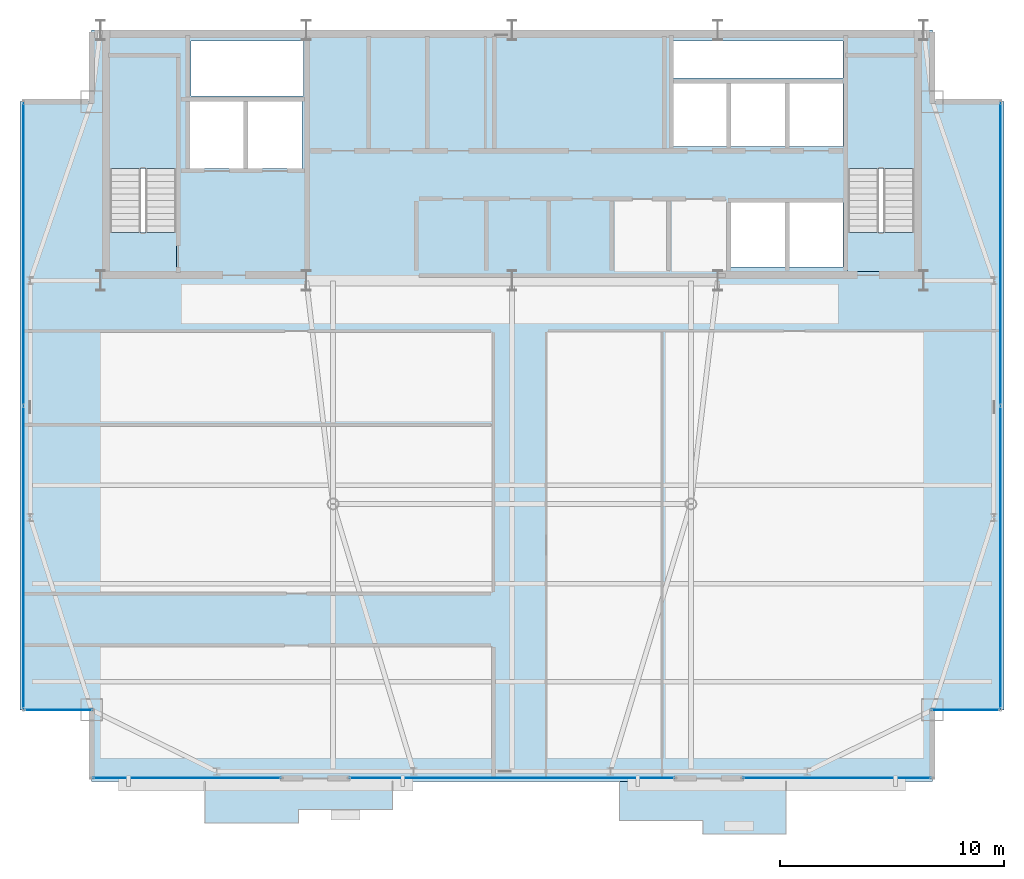
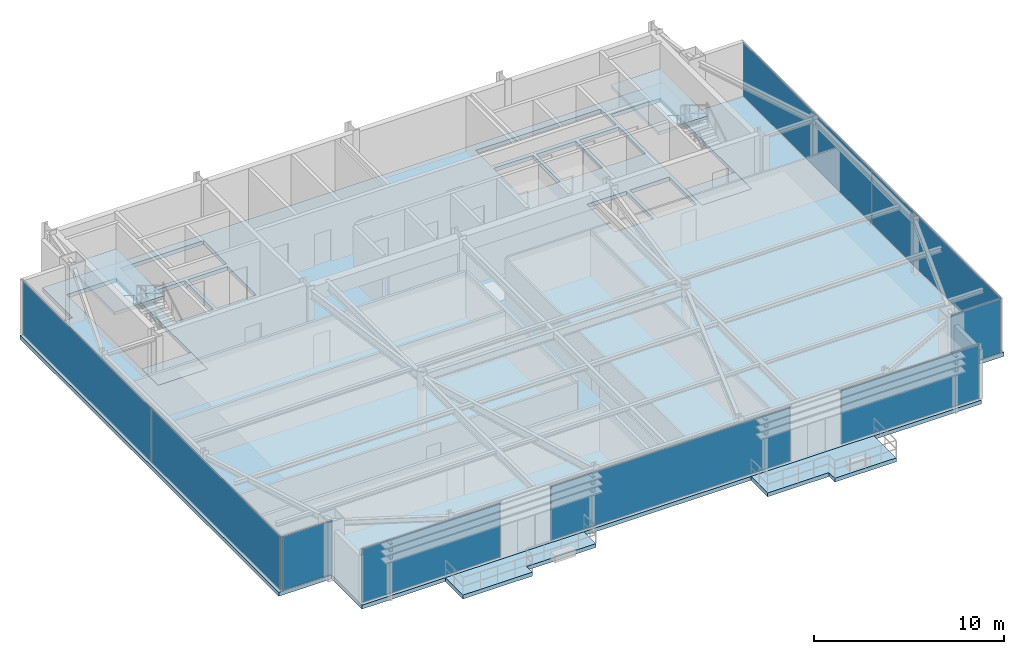
# One storey, part 17 of 23: 9 plates, 7 slabs, 9 elements without a shape of their own.
"""IFC4 building model written with IfcOpenShell, lengths in metres."""

from ifc_helpers import new_model, si_unit, direction, frame, origin, origin_2d, place, context, subcontext, project, spatial, polyline, rectangle, outline, extrude, source, transform, mapped, material, layer, layer_set, type_object, type_shapes, element, aggregate, save


model = new_model("IFC4")

# Units and contexts
model_context = context("Model", 3, precision=1e-05, world=origin(), true_north=direction((0.0, 1.0)))
body_context = subcontext(model_context, "Body", "Model", "MODEL_VIEW")
ifc_project = project(units=[si_unit("LENGTHUNIT", "METRE"), si_unit("AREAUNIT", "SQUARE_METRE"), si_unit("VOLUMEUNIT", "CUBIC_METRE"), si_unit("PLANEANGLEUNIT", "RADIAN"), si_unit("MASSUNIT", "GRAM", prefix="KILO")], contexts=[model_context])

# Site, building, storey
site_placement = place(None, origin())
site = spatial("IfcSite", under=ifc_project, at=site_placement, CompositionType="ELEMENT")
building_placement = place(site_placement, origin())
building = spatial("IfcBuilding", under=site, at=building_placement, Name="Varnel Quay Broadcast Tower", CompositionType="ELEMENT")
storey_placement = place(building_placement, frame((0.0, 0.0, 266.0)))
storey = spatial("IfcBuildingStorey", under=building, at=storey_placement, Name="L66", CompositionType="ELEMENT", Elevation=266.0)

# Slabs
ifc_material_1 = material(Name="Concrete CSA A23.3 C40/50", Category="concrete")
ifc_layer_1 = layer(ifc_material_1, 0.25, Name="Concrete CSA A23.3 C40/50")
ifc_layer_set_1 = layer_set([ifc_layer_1], Name="Concrete CSA A23.3 C40/50")
slab_type_1 = type_object("IfcSlabType", Name="Slab_ExtTerrace250", PredefinedType="FLOOR", material=ifc_layer_set_1)
slab_1_placement = place(storey_placement, frame((0.0, 0.0, -0.25)))
element("IfcSlab", 1, at=slab_1_placement, inside=storey, type_object=slab_type_1, Name="L66 Planted Lobe Terrace Slab 1", PredefinedType="FLOOR", context=body_context, shape_type="SweptSolid", body=[
    extrude(outline(polyline([(20.260009765625, 11.347900390625), (24.4599609375, 11.347900390625), (24.4599609375, 11.947998046875), (28.659912109375, 11.947998046875), (28.659912109375, 13.199951171875), (20.260009765625, 13.199951171875), (20.260009765625, 11.347900390625)])), origin(), (0.0, 0.0, 1.0), 0.25),
])
slab_2_placement = place(storey_placement, frame((0.0, 0.0, -0.25)))
element("IfcSlab", 2, at=slab_2_placement, inside=storey, type_object=slab_type_1, Name="L66 Planted Lobe Terrace Slab 2", PredefinedType="FLOOR", context=body_context, shape_type="SweptSolid", body=[
    extrude(outline(polyline([(38.800048828125, 11.451904296875), (42.530029296875, 11.451904296875), (42.530029296875, 10.85205078125), (46.260009765625, 10.85205078125), (46.260009765625, 13.199951171875), (38.800048828125, 13.199951171875), (38.800048828125, 11.451904296875)])), origin(), (0.0, 0.0, 1.0), 0.25),
])
ifc_material_2 = material(Name="Concrete CSA A23.3 C50/60", Category="concrete")
ifc_layer_2 = layer(ifc_material_2, 0.25, Name="Concrete CSA A23.3 C50/60")
ifc_layer_set_2 = layer_set([ifc_layer_2], Name="Concrete CSA A23.3 C50/60")
slab_type_2 = type_object("IfcSlabType", Name="Slab_Floor250", PredefinedType="FLOOR", material=ifc_layer_set_2)
slab_3_placement = place(storey_placement, frame((0.0, 0.0, -0.25)))
element("IfcSlab", 3, at=slab_3_placement, inside=storey, type_object=slab_type_2, Name="L66 Structural Slab", PredefinedType="FLOOR", context=body_context, shape_type="SweptSolid", body=[
    extrude(outline(polyline([(15.199951171875, 13.199951171875), (52.800048828125, 13.199951171875), (52.800048828125, 16.39990234375), (56.0, 16.39990234375), (56.0, 43.60009765625), (52.800048828125, 43.60009765625), (52.800048828125, 46.800048828125), (15.199951171875, 46.800048828125), (15.199951171875, 43.60009765625), (12.0, 43.60009765625), (12.0, 16.39990234375), (15.199951171875, 16.39990234375), (15.199951171875, 13.199951171875)]), holes=[polyline([(19.0, 36.0), (16.0, 36.0), (16.0, 45.60009765625), (19.0, 45.60009765625), (19.0, 36.0)]), polyline([(19.60009765625, 40.60009765625), (19.60009765625, 43.60009765625), (22.0, 43.60009765625), (22.0, 40.60009765625), (19.60009765625, 40.60009765625)]), polyline([(22.199951171875, 40.60009765625), (22.199951171875, 43.60009765625), (24.60009765625, 43.60009765625), (24.60009765625, 40.60009765625), (22.199951171875, 40.60009765625)]), polyline([(41.199951171875, 44.39990234375), (43.60009765625, 44.39990234375), (43.60009765625, 41.60009765625), (41.199951171875, 41.60009765625), (41.199951171875, 44.39990234375)]), polyline([(43.800048828125, 44.39990234375), (46.199951171875, 44.39990234375), (46.199951171875, 41.60009765625), (43.800048828125, 41.60009765625), (43.800048828125, 44.39990234375)]), polyline([(19.64990234375, 43.85009765625), (19.64990234375, 46.300048828125), (24.679931640625, 46.300048828125), (24.679931640625, 43.85009765625), (19.64990234375, 43.85009765625)]), polyline([(43.800048828125, 39.10009765625), (46.199951171875, 39.10009765625), (46.199951171875, 36.199951171875), (43.800048828125, 36.199951171875), (43.800048828125, 39.10009765625)]), polyline([(46.39990234375, 39.10009765625), (48.800048828125, 39.10009765625), (48.800048828125, 36.199951171875), (46.39990234375, 36.199951171875), (46.39990234375, 39.10009765625)]), polyline([(52.0, 36.0), (49.0, 36.0), (49.0, 45.60009765625), (52.0, 45.60009765625), (52.0, 36.0)]), polyline([(46.39990234375, 44.39990234375), (48.800048828125, 44.39990234375), (48.800048828125, 41.60009765625), (46.39990234375, 41.60009765625), (46.39990234375, 44.39990234375)]), polyline([(41.199951171875, 46.300048828125), (48.800048828125, 46.300048828125), (48.800048828125, 44.64990234375), (41.199951171875, 44.64990234375), (41.199951171875, 46.300048828125)])]), origin(), (0.0, 0.0, 1.0), 0.25),
])
ifc_layer_3 = layer(ifc_material_2, 0.25, Name="Concrete CSA A23.3 C50/60")
ifc_layer_set_3 = layer_set([ifc_layer_3], Name="Concrete CSA A23.3 C50/60")
slab_type_3 = type_object("IfcSlabType", Name="Slab_StairFloorLanding250", PredefinedType="FLOOR", material=ifc_layer_set_3)
slab_4_placement = place(storey_placement, frame((0.0, 0.0, -0.25)))
element("IfcSlab", 4, at=slab_4_placement, inside=storey, type_object=slab_type_3, Name="L66 ST-01 Structural Floor Landing Slab", PredefinedType="FLOOR", context=body_context, shape_type="SweptSolid", body=[
    extrude(outline(polyline([(19.0, 36.0), (19.0, 37.75), (16.0, 37.75), (16.0, 36.0), (19.0, 36.0)])), origin(), (0.0, 0.0, 1.0), 0.25),
])
slab_5_placement = place(storey_placement, frame((0.0, 0.0, -0.25)))
element("IfcSlab", 5, at=slab_5_placement, inside=storey, type_object=slab_type_3, Name="L66 ST-02 Structural Floor Landing Slab", PredefinedType="FLOOR", context=body_context, shape_type="SweptSolid", body=[
    extrude(outline(polyline([(52.0, 36.0), (52.0, 37.75), (49.0, 37.75), (49.0, 36.0), (52.0, 36.0)])), origin(), (0.0, 0.0, 1.0), 0.25),
])

# Stair, slab
ifc_material_3 = material(Name="Precast Structural Concrete C40/50", Category="concrete")
stair_type_1 = type_object("IfcStairType", Name="Stair_ST-01", PredefinedType="HALF_TURN_STAIR", material=ifc_material_3)
stair_1_placement = place(storey_placement, origin())
stair_1 = element("IfcStair", 6, at=stair_1_placement, inside=storey, type_object=stair_type_1, Name="L66 West Core Exit Stair 1", PredefinedType="HALF_TURN_STAIR")
ifc_layer_4 = layer(ifc_material_3, 0.199951171875, Name="Precast Structural Concrete C40/50")
ifc_layer_set_4 = layer_set([ifc_layer_4], Name="Precast Structural Concrete C40/50")
slab_type_4 = type_object("IfcSlabType", Name="Slab_StairLanding200", PredefinedType="LANDING", material=ifc_layer_set_4)
slab_6_placement = place(storey_placement, frame((0.0, 0.0, 1.699951171875)))
slab_6 = element("IfcSlab", 7, at=slab_6_placement, type_object=slab_type_4, Name="ST-01 landing 1", PredefinedType="LANDING", context=body_context, shape_type="SweptSolid", body=[
    extrude(outline(polyline([(19.0, 40.60009765625), (19.0, 45.60009765625), (16.0, 45.60009765625), (16.0, 40.60009765625), (19.0, 40.60009765625)])), origin(), (0.0, 0.0, 1.0), 0.199951171875),
])
aggregate(stair_1, [slab_6])

stair_type_2 = type_object("IfcStairType", Name="Stair_ST-02", PredefinedType="HALF_TURN_STAIR", material=ifc_material_3)
stair_2_placement = place(storey_placement, origin())
stair_2 = element("IfcStair", 8, at=stair_2_placement, inside=storey, type_object=stair_type_2, Name="L66 East Core Exit Stair 2", PredefinedType="HALF_TURN_STAIR")
slab_7_placement = place(storey_placement, frame((0.0, 0.0, 1.699951171875)))
slab_7 = element("IfcSlab", 9, at=slab_7_placement, type_object=slab_type_4, Name="ST-02 landing 1", PredefinedType="LANDING", context=body_context, shape_type="SweptSolid", body=[
    extrude(outline(polyline([(52.0, 40.60009765625), (52.0, 45.60009765625), (49.0, 45.60009765625), (49.0, 40.60009765625), (52.0, 40.60009765625)])), origin(), (0.0, 0.0, 1.0), 0.199951171875),
])
aggregate(stair_2, [slab_7])

# Curtain wall, plate
ifc_material_4 = material(Name="Anodised Bronze Aluminium 6063-T6", Category="aluminium")
ifc_layer_5 = layer(ifc_material_4, 0.18994140625, Name="Anodised Bronze Aluminium 6063-T6")
ifc_layer_set_5 = layer_set([ifc_layer_5], Name="Anodised Bronze Aluminium 6063-T6")
curtain_wall_type_1 = type_object("IfcCurtainWallType", Name="CW_UpperTower", PredefinedType="NOTDEFINED", material=ifc_layer_set_5)
curtain_wall_1_placement = place(storey_placement, origin())
curtain_wall_1 = element("IfcCurtainWall", 10, at=curtain_wall_1_placement, inside=storey, type_object=curtain_wall_type_1, Name="L66 South Unitised Curtain Wall 1", PredefinedType="NOTDEFINED")
ifc_material_5 = material(Name="Triple-Glazed Bronze Low-E Architectural Glass", Category="glass")
ifc_layer_6 = layer(ifc_material_5, 0.030029296875, Name="Triple-Glazed Bronze Low-E Architectural Glass")
ifc_layer_set_6 = layer_set([ifc_layer_6], Name="Triple-Glazed Bronze Low-E Architectural Glass")
plate_type_1 = type_object("IfcPlateType", Name="Panel_CWS-03", PredefinedType="CURTAIN_PANEL", material=ifc_layer_set_6)
shared_shape_1 = source(origin(), body_context, "Body", "SweptSolid", [
    extrude(rectangle(XDim=8.389892578125, YDim=0.030029296875, at=origin_2d()), origin(), (0.0, 0.0, 1.0), 3.429931640625),
])
type_shapes(plate_type_1, [shared_shape_1])
plate_1_placement = place(storey_placement, frame((19.4599609375, 13.35009765625, 0.06005859375), z_axis=(0.0, 0.0, 1.0), x_axis=(1.0, 0.0, 0.0)))
plate_1 = element("IfcPlate", 11, at=plate_1_placement, type_object=plate_type_1, Name="CWS-03 panel 1.1", PredefinedType="CURTAIN_PANEL", context=body_context, shape_type="MappedRepresentation", body=[
    mapped(shared_shape_1, transform((0.0, 0.0, 0.0), x_axis=(1.0, 0.0, 0.0), y_axis=(0.0, 1.0, 0.0), z_axis=(0.0, 0.0, 1.0), scale=1.0)),
])
aggregate(curtain_wall_1, [plate_1])

curtain_wall_2_placement = place(storey_placement, origin())
curtain_wall_2 = element("IfcCurtainWall", 12, at=curtain_wall_2_placement, inside=storey, type_object=curtain_wall_type_1, Name="L66 South Unitised Curtain Wall 3", PredefinedType="NOTDEFINED")
plate_2_placement = place(storey_placement, frame((48.5400390625, 13.35009765625, 0.06005859375), z_axis=(0.0, 0.0, 1.0), x_axis=(1.0, 0.0, 0.0)))
plate_2 = element("IfcPlate", 13, at=plate_2_placement, type_object=plate_type_1, Name="CWS-03 panel 1.1", PredefinedType="CURTAIN_PANEL", context=body_context, shape_type="MappedRepresentation", body=[
    mapped(shared_shape_1, transform((0.0, 0.0, 0.0), x_axis=(1.0, 0.0, 0.0), y_axis=(0.0, 1.0, 0.0), z_axis=(0.0, 0.0, 1.0), scale=1.0)),
])
aggregate(curtain_wall_2, [plate_2])

# Curtain wall, plates
curtain_wall_3_placement = place(storey_placement, origin())
curtain_wall_3 = element("IfcCurtainWall", 14, at=curtain_wall_3_placement, inside=storey, type_object=curtain_wall_type_1, Name="L66 West Unitised Curtain Wall", PredefinedType="NOTDEFINED")
ifc_material_6 = material(Name="Insulated Bronze Spandrel Glass", Category="glass")
ifc_layer_7 = layer(ifc_material_6, 0.030029296875, Name="Insulated Bronze Spandrel Glass")
ifc_layer_set_7 = layer_set([ifc_layer_7], Name="Insulated Bronze Spandrel Glass")
plate_type_2 = type_object("IfcPlateType", Name="PanelSp_CWS-03", PredefinedType="CURTAIN_PANEL", material=ifc_layer_set_7)
shared_shape_2 = source(origin(), body_context, "Body", "SweptSolid", [
    extrude(rectangle(XDim=13.50244140625, YDim=0.030029296875, at=origin_2d()), origin(), (0.0, 0.0, 1.0), 3.429931640625),
])
plate_3_placement = place(storey_placement, frame((12.14990234375, 23.21630859375, 0.06005859375), z_axis=(0.0, 0.0, 1.0), x_axis=(0.0, 1.0, 0.0)))
plate_3 = element("IfcPlate", 15, at=plate_3_placement, type_object=plate_type_2, Name="CWS-03 panel 1.1", PredefinedType="CURTAIN_PANEL", context=body_context, shape_type="MappedRepresentation", body=[
    mapped(shared_shape_2, transform((0.0, 0.0, 0.0), x_axis=(1.0, 0.0, 0.0), y_axis=(0.0, 1.0, 0.0), z_axis=(0.0, 0.0, 1.0), scale=1.0)),
])
plate_4_placement = place(storey_placement, frame((12.14990234375, 36.78369140625, 0.06005859375), z_axis=(0.0, 0.0, 1.0), x_axis=(0.0, 1.0, 0.0)))
plate_4 = element("IfcPlate", 16, at=plate_4_placement, type_object=plate_type_2, Name="CWS-03 panel 2.1", PredefinedType="CURTAIN_PANEL", context=body_context, shape_type="MappedRepresentation", body=[
    mapped(shared_shape_2, transform((0.0, 0.0, 0.0), x_axis=(1.0, 0.0, 0.0), y_axis=(0.0, 1.0, 0.0), z_axis=(0.0, 0.0, 1.0), scale=1.0)),
])
aggregate(curtain_wall_3, [plate_3, plate_4])

curtain_wall_4_placement = place(storey_placement, origin())
curtain_wall_4 = element("IfcCurtainWall", 17, at=curtain_wall_4_placement, inside=storey, type_object=curtain_wall_type_1, Name="L66 East Unitised Curtain Wall", PredefinedType="NOTDEFINED")
plate_5_placement = place(storey_placement, frame((55.85009765625, 23.21630859375, 0.06005859375), z_axis=(0.0, 0.0, 1.0), x_axis=(0.0, 1.0, 0.0)))
plate_5 = element("IfcPlate", 18, at=plate_5_placement, type_object=plate_type_2, Name="CWS-03 panel 1.1", PredefinedType="CURTAIN_PANEL", context=body_context, shape_type="MappedRepresentation", body=[
    mapped(shared_shape_2, transform((0.0, 0.0, 0.0), x_axis=(1.0, 0.0, 0.0), y_axis=(0.0, 1.0, 0.0), z_axis=(0.0, 0.0, 1.0), scale=1.0)),
])
plate_6_placement = place(storey_placement, frame((55.85009765625, 36.78369140625, 0.06005859375), z_axis=(0.0, 0.0, 1.0), x_axis=(0.0, 1.0, 0.0)))
plate_6 = element("IfcPlate", 19, at=plate_6_placement, type_object=plate_type_2, Name="CWS-03 panel 2.1", PredefinedType="CURTAIN_PANEL", context=body_context, shape_type="MappedRepresentation", body=[
    mapped(shared_shape_2, transform((0.0, 0.0, 0.0), x_axis=(1.0, 0.0, 0.0), y_axis=(0.0, 1.0, 0.0), z_axis=(0.0, 0.0, 1.0), scale=1.0)),
])
aggregate(curtain_wall_4, [plate_5, plate_6])

# Curtain wall, plate
ifc_layer_8 = layer(ifc_material_4, 0.18994140625, Name="Anodised Bronze Aluminium 6063-T6")
ifc_layer_set_8 = layer_set([ifc_layer_8], Name="Anodised Bronze Aluminium 6063-T6")
curtain_wall_type_2 = type_object("IfcCurtainWallType", Name="CW_NotchCorner", PredefinedType="NOTDEFINED", material=ifc_layer_set_8)
curtain_wall_5_placement = place(storey_placement, origin())
curtain_wall_5 = element("IfcCurtainWall", 20, at=curtain_wall_5_placement, inside=storey, type_object=curtain_wall_type_2, Name="L66 SW Notch Curtain Wall", PredefinedType="NOTDEFINED")
ifc_layer_9 = layer(ifc_material_5, 0.028076171875, Name="Triple-Glazed Bronze Low-E Architectural Glass")
ifc_layer_set_9 = layer_set([ifc_layer_9], Name="Triple-Glazed Bronze Low-E Architectural Glass")
plate_type_3 = type_object("IfcPlateType", Name="Panel_CWS-04", PredefinedType="CURTAIN_PANEL", material=ifc_layer_set_9)
shared_shape_3 = source(origin(), body_context, "Body", "SweptSolid", [
    extrude(rectangle(XDim=3.010009765625, YDim=0.028076171875, at=origin_2d()), origin(), (0.0, 0.0, 1.0), 3.43994140625),
])
type_shapes(plate_type_3, [shared_shape_3])
plate_7_placement = place(storey_placement, frame((13.715087890625, 16.39990234375, 0.054931640625), z_axis=(0.0, 0.0, 1.0), x_axis=(1.0, 0.0, 0.0)))
plate_7 = element("IfcPlate", 21, at=plate_7_placement, type_object=plate_type_3, Name="CWS-04 panel 1.1", PredefinedType="CURTAIN_PANEL", context=body_context, shape_type="MappedRepresentation", body=[
    mapped(shared_shape_3, transform((0.0, 0.0, 0.0), x_axis=(1.0, 0.0, 0.0), y_axis=(0.0, 1.0, 0.0), z_axis=(0.0, 0.0, 1.0), scale=1.0)),
])
aggregate(curtain_wall_5, [plate_7])

curtain_wall_6_placement = place(storey_placement, origin())
curtain_wall_6 = element("IfcCurtainWall", 22, at=curtain_wall_6_placement, inside=storey, type_object=curtain_wall_type_2, Name="L66 SE Notch Curtain Wall", PredefinedType="NOTDEFINED")
plate_8_placement = place(storey_placement, frame((54.284912109375, 16.39990234375, 0.054931640625), z_axis=(0.0, 0.0, 1.0), x_axis=(1.0, 0.0, 0.0)))
plate_8 = element("IfcPlate", 23, at=plate_8_placement, type_object=plate_type_3, Name="CWS-04 panel 1.1", PredefinedType="CURTAIN_PANEL", context=body_context, shape_type="MappedRepresentation", body=[
    mapped(shared_shape_3, transform((0.0, 0.0, 0.0), x_axis=(1.0, 0.0, 0.0), y_axis=(0.0, 1.0, 0.0), z_axis=(0.0, 0.0, 1.0), scale=1.0)),
])
aggregate(curtain_wall_6, [plate_8])

curtain_wall_7_placement = place(storey_placement, origin())
curtain_wall_7 = element("IfcCurtainWall", 24, at=curtain_wall_7_placement, inside=storey, type_object=curtain_wall_type_1, Name="L66 South Unitised Curtain Wall 2", PredefinedType="NOTDEFINED")
shared_shape_4 = source(origin(), body_context, "Body", "SweptSolid", [
    extrude(rectangle(XDim=14.510009765625, YDim=0.030029296875, at=origin_2d()), origin(), (0.0, 0.0, 1.0), 3.429931640625),
])
type_shapes(plate_type_2, [shared_shape_2, shared_shape_4])
plate_9_placement = place(storey_placement, frame((34.0, 13.35009765625, 0.06005859375), z_axis=(0.0, 0.0, 1.0), x_axis=(1.0, 0.0, 0.0)))
plate_9 = element("IfcPlate", 25, at=plate_9_placement, type_object=plate_type_2, Name="CWS-03 panel 1.1", PredefinedType="CURTAIN_PANEL", context=body_context, shape_type="MappedRepresentation", body=[
    mapped(shared_shape_4, transform((0.0, 0.0, 0.0), x_axis=(1.0, 0.0, 0.0), y_axis=(0.0, 1.0, 0.0), z_axis=(0.0, 0.0, 1.0), scale=1.0)),
])
aggregate(curtain_wall_7, [plate_9])

save(model, "model.ifc")
